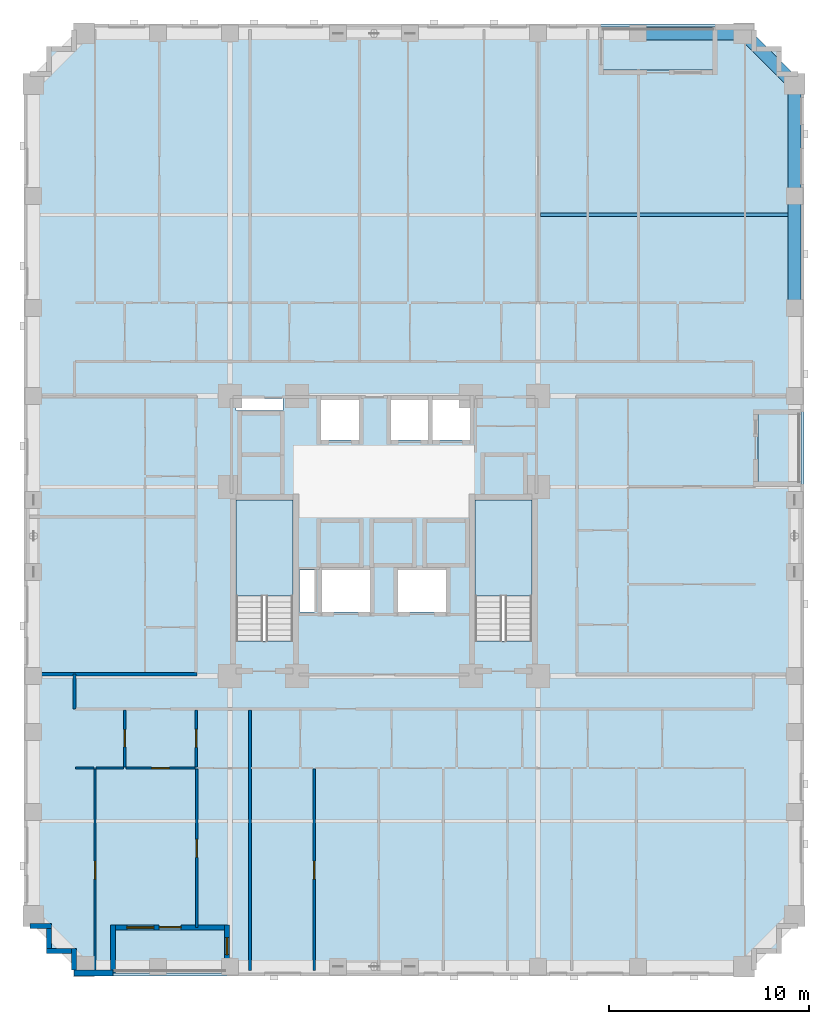
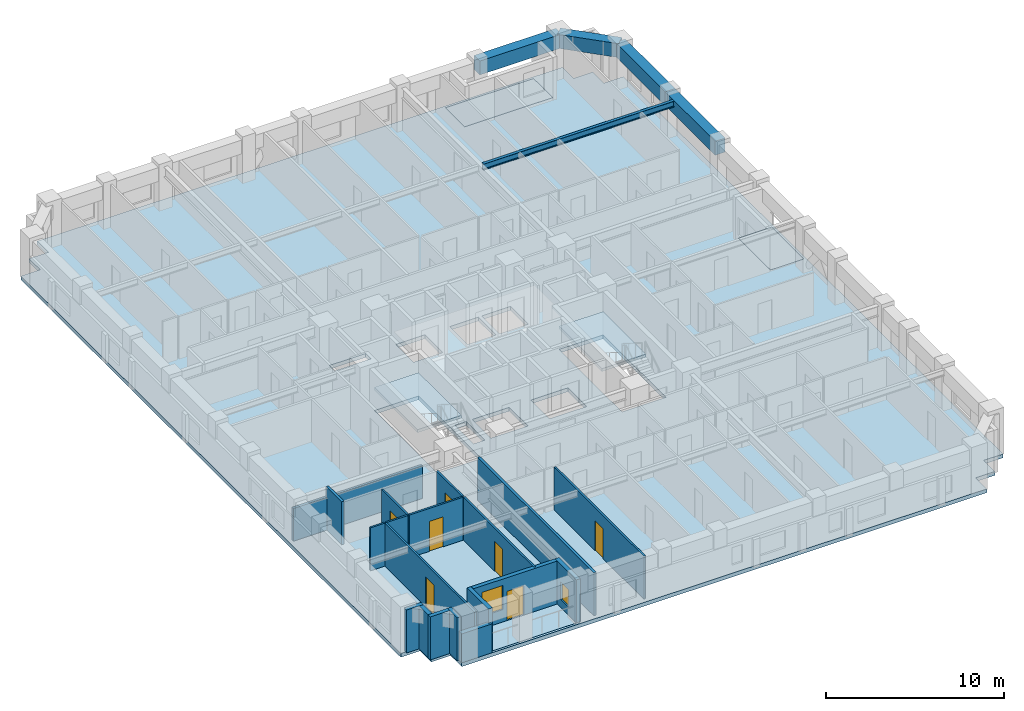
# One storey, part 2 of 14: 19 walls, 7 doors, 6 slabs, 5 beams, 2 windows, 9 openings, 2 elements without a shape of their own.
"""IFC4 building model written with IfcOpenShell, lengths in metres."""

from ifc_helpers import new_model, si_unit, derived_unit, direction, frame, frame_2d, origin, origin_2d, place, context, subcontext, project, spatial, polyline, rectangle, i_section, outline, extrude, material, layer, layer_set, material_profile, profile_set, type_object, element, fill, aggregate, save


model = new_model("IFC4")

# Units and contexts
model_context = context("Model", 3, precision=1e-05, world=origin(), true_north=direction((0.0, 1.0)))
body_context = subcontext(model_context, "Body", "Model", "MODEL_VIEW")
ifc_project = project(units=[si_unit("LENGTHUNIT", "METRE"), si_unit("AREAUNIT", "SQUARE_METRE"), si_unit("VOLUMEUNIT", "CUBIC_METRE"), si_unit("PLANEANGLEUNIT", "RADIAN"), si_unit("MASSUNIT", "GRAM", prefix="KILO"), derived_unit("THERMALTRANSMITTANCEUNIT", [(si_unit("MASSUNIT", "GRAM", prefix="KILO"), 1), (si_unit("TIMEUNIT", "SECOND"), -3), (si_unit("THERMODYNAMICTEMPERATUREUNIT", "KELVIN"), -1)])], contexts=[model_context])

# Site, building, storey
site_placement = place(None, origin())
site = spatial("IfcSite", under=ifc_project, at=site_placement, CompositionType="ELEMENT")
building_placement = place(site_placement, origin())
building = spatial("IfcBuilding", under=site, at=building_placement, Name="Korrvale Station Residences", CompositionType="ELEMENT")
storey_placement = place(building_placement, frame((0.0, 0.0, 61.0)))
storey = spatial("IfcBuildingStorey", under=building, at=storey_placement, Name="L16", CompositionType="ELEMENT", Elevation=61.0)

# Beams
ifc_material_1 = material(Name="Steel S355", Category="steel")
ifc_material_profile_1 = material_profile(ifc_material_1, i_section(OverallWidth=0.180908203125, OverallDepth=0.4169921875, WebThickness=0.010986328125, FlangeThickness=0.018310546875, FilletRadius=0.01611328125, at=origin_2d()), Name="W410x85")
ifc_profile_set_1 = profile_set([ifc_material_profile_1], Name="Steel S355")
beam_type_1 = type_object("IfcBeamType", Name="BM-JST-W410x85-S355", PredefinedType="JOIST", material=ifc_profile_set_1)
beam_1_placement = place(storey_placement, frame((33.327880859375, 38.06005859375, 2.7314453125), z_axis=(1.0, 0.0, 0.0), x_axis=(0.0, 1.0, 0.0)))
element("IfcBeam", 1, at=beam_1_placement, inside=storey, type_object=beam_type_1, Name="L16 Floor Framing Joist 06", PredefinedType="JOIST", context=body_context, shape_type="SweptSolid", body=[
    extrude(i_section(OverallWidth=0.180908203125, OverallDepth=0.4169921875, WebThickness=0.010986328125, FlangeThickness=0.018310546875, FilletRadius=0.01611328125, at=origin_2d()), origin(), (0.0, 0.0, 1.0), 12.3671875),
])
ifc_material_2 = material(Name="Concrete C70/85", Category="concrete")
ifc_material_profile_2 = material_profile(ifc_material_2, rectangle(XDim=0.64990234375, YDim=0.949951171875, at=origin_2d()), Name="RCB650x950")
ifc_profile_set_2 = profile_set([ifc_material_profile_2], Name="Concrete C70/85")
beam_type_2 = type_object("IfcBeamType", Name="BM-SPB-RCB650x950-C7085", PredefinedType="SPANDREL", material=ifc_profile_set_2)
beam_2_placement = place(storey_placement, frame((38.199951171875, 47.1201171875, 2.465087890625), z_axis=(1.0, 0.0, 0.0), x_axis=(0.0, 1.0, 0.0)))
element("IfcBeam", 2, at=beam_2_placement, inside=storey, type_object=beam_type_2, Name="L16 North Tube Spandrel 14", PredefinedType="SPANDREL", context=body_context, shape_type="SweptSolid", body=[
    extrude(rectangle(XDim=0.64990234375, YDim=0.949951171875, at=origin_2d()), origin(), (0.0, 0.0, 1.0), 5.300048828125),
])
for number, where, z_axis, x_axis, name in (
    (3, (46.02001953125, 33.39990234375, 2.465087890625), (0.0, 1.0, 0.0), (-1.0, 0.0, 0.0), "L16 East Tube Spandrel 31"),
    (4, (46.02001953125, 39.0, 2.465087890625), (0.0, 1.0, 0.0), (-1.0, 0.0, 0.0), "L16 East Tube Spandrel 32"),
):
    element("IfcBeam", number, at=place(storey_placement, frame(where, z_axis=z_axis, x_axis=x_axis)), inside=storey, type_object=beam_type_2, Name=name, PredefinedType="SPANDREL", context=body_context, shape_type="SweptSolid", body=[
        extrude(rectangle(XDim=0.64990234375, YDim=0.949951171875, at=origin_2d()), origin(), (0.0, 0.0, 1.0), 5.60009765625),
    ])
beam_3_placement = place(storey_placement, frame((43.5, 47.1201171875, 2.465087890625), z_axis=(0.707106781187, -0.707106781187, 0.0), x_axis=(0.707106781187, 0.707106781187, 0.0)))
element("IfcBeam", 5, at=beam_3_placement, inside=storey, type_object=beam_type_2, Name="L16 Serrated Corner Spandrel 35", PredefinedType="SPANDREL", context=body_context, shape_type="SweptSolid", body=[
    extrude(rectangle(XDim=0.64990234375, YDim=0.949951171875, at=origin_2d()), origin(), (0.0, 0.0, 1.0), 3.56396484375),
])

# Slabs
ifc_material_3 = material(Name="Concrete C50/60", Category="concrete")
ifc_layer_1 = layer(ifc_material_3, 0.219970703125, Name="Concrete C50/60")
ifc_layer_set_1 = layer_set([ifc_layer_1], Name="Concrete C50/60")
slab_type_1 = type_object("IfcSlabType", Name="SLB-BAL-220", PredefinedType="FLOOR", material=ifc_layer_set_1)
slab_1_placement = place(storey_placement, frame((0.0, 0.0, -0.219970703125)))
element("IfcSlab", 6, at=slab_1_placement, inside=storey, type_object=slab_type_1, Name="L16 Recessed Loggia Balcony Slab BAL-L16-S1", PredefinedType="FLOOR", context=body_context, shape_type="SweptSolid", body=[
    extrude(outline(polyline([(11.949951171875, 0.14990234375), (17.64990234375, 0.14990234375), (17.64990234375, 2.300048828125), (11.949951171875, 2.300048828125), (11.949951171875, 0.14990234375)])), origin(), (0.0, 0.0, 1.0), 0.219970703125),
])
slab_2_placement = place(storey_placement, frame((0.0, 0.0, -0.219970703125)))
element("IfcSlab", 7, at=slab_2_placement, inside=storey, type_object=slab_type_1, Name="L16 Recessed Loggia Balcony Slab BAL-L16-N1", PredefinedType="FLOOR", context=body_context, shape_type="SweptSolid", body=[
    extrude(outline(polyline([(36.35009765625, 45.300048828125), (42.050048828125, 45.300048828125), (42.050048828125, 47.449951171875), (36.35009765625, 47.449951171875), (36.35009765625, 45.300048828125)])), origin(), (0.0, 0.0, 1.0), 0.219970703125),
])
slab_3_placement = place(storey_placement, frame((0.0, 0.0, -0.219970703125)))
element("IfcSlab", 8, at=slab_3_placement, inside=storey, type_object=slab_type_1, Name="L16 Recessed Loggia Balcony Slab BAL-L16-E1", PredefinedType="FLOOR", context=body_context, shape_type="SweptSolid", body=[
    extrude(outline(polyline([(44.199951171875, 24.60009765625), (46.35009765625, 24.60009765625), (46.35009765625, 28.199951171875), (44.199951171875, 28.199951171875), (44.199951171875, 24.60009765625)])), origin(), (0.0, 0.0, 1.0), 0.219970703125),
])
ifc_layer_2 = layer(ifc_material_3, 0.260009765625, Name="Concrete C50/60")
ifc_layer_set_2 = layer_set([ifc_layer_2], Name="Concrete C50/60")
slab_type_2 = type_object("IfcSlabType", Name="SLB-FLR-260", PredefinedType="FLOOR", material=ifc_layer_set_2)
slab_4_placement = place(storey_placement, frame((0.0, 0.0, -0.260009765625)))
element("IfcSlab", 9, at=slab_4_placement, inside=storey, type_object=slab_type_2, Name="L16 Suspended Structural Floor Slab", PredefinedType="FLOOR", context=body_context, shape_type="SweptSolid", body=[
    extrude(outline(polyline([(10.0, 0.0), (44.0, 0.0), (44.0, 1.25), (45.25, 1.25), (45.25, 2.5), (46.5, 2.5), (46.5, 45.10009765625), (45.25, 45.10009765625), (45.25, 46.35009765625), (44.0, 46.35009765625), (44.0, 47.60009765625), (10.0, 47.60009765625), (10.0, 46.35009765625), (8.75, 46.35009765625), (8.75, 45.10009765625), (7.5, 45.10009765625), (7.5, 2.5), (8.75, 2.5), (8.75, 1.25), (10.0, 1.25), (10.0, 0.0)]), holes=[polyline([(20.949951171875, 16.751953125), (20.949951171875, 23.800048828125), (18.10009765625, 23.800048828125), (18.10009765625, 16.751953125), (20.949951171875, 16.751953125)]), polyline([(32.89990234375, 16.751953125), (32.89990234375, 23.800048828125), (30.050048828125, 23.800048828125), (30.050048828125, 16.751953125), (32.89990234375, 16.751953125)]), polyline([(22.35009765625, 26.800048828125), (24.25, 26.800048828125), (24.25, 28.800048828125), (22.35009765625, 28.800048828125), (22.35009765625, 26.800048828125)]), polyline([(25.85009765625, 26.800048828125), (27.7099609375, 26.800048828125), (27.7099609375, 28.800048828125), (25.85009765625, 28.800048828125), (25.85009765625, 26.800048828125)]), polyline([(27.929931640625, 26.800048828125), (29.7900390625, 26.800048828125), (29.7900390625, 28.800048828125), (27.929931640625, 28.800048828125), (27.929931640625, 26.800048828125)]), polyline([(22.39990234375, 18.199951171875), (24.800048828125, 18.199951171875), (24.800048828125, 20.300048828125), (22.39990234375, 20.300048828125), (22.39990234375, 18.199951171875)]), polyline([(26.199951171875, 18.199951171875), (28.60009765625, 18.199951171875), (28.60009765625, 20.300048828125), (26.199951171875, 20.300048828125), (26.199951171875, 18.199951171875)]), polyline([(18.10009765625, 28.280029296875), (20.449951171875, 28.280029296875), (20.449951171875, 28.8798828125), (18.10009765625, 28.8798828125), (18.10009765625, 28.280029296875)]), polyline([(21.280029296875, 18.199951171875), (22.02001953125, 18.199951171875), (22.02001953125, 20.300048828125), (21.280029296875, 20.300048828125), (21.280029296875, 18.199951171875)]), polyline([(11.949951171875, 0.14990234375), (17.64990234375, 0.14990234375), (17.64990234375, 2.300048828125), (11.949951171875, 2.300048828125), (11.949951171875, 0.14990234375)]), polyline([(36.35009765625, 45.300048828125), (42.050048828125, 45.300048828125), (42.050048828125, 47.449951171875), (36.35009765625, 47.449951171875), (36.35009765625, 45.300048828125)]), polyline([(44.199951171875, 24.60009765625), (46.35009765625, 24.60009765625), (46.35009765625, 28.199951171875), (44.199951171875, 28.199951171875), (44.199951171875, 24.60009765625)])]), origin(), (0.0, 0.0, 1.0), 0.260009765625),
])

# Stair, slab
stair_type = type_object("IfcStairType", Name="STR-DL-1350-18R-1778", PredefinedType="HALF_TURN_STAIR", material=ifc_material_3)
stair_1_placement = place(storey_placement, origin())
stair_1 = element("IfcStair", 10, at=stair_1_placement, inside=storey, type_object=stair_type, Name="L16 Exit Stair 1", PredefinedType="HALF_TURN_STAIR")
ifc_layer_3 = layer(ifc_material_3, 0.199951171875, Name="Concrete C50/60")
ifc_layer_set_3 = layer_set([ifc_layer_3], Name="Concrete C50/60")
slab_type_3 = type_object("IfcSlabType", Name="SLB-LND-200", PredefinedType="LANDING", material=ifc_layer_set_3)
slab_5_placement = place(storey_placement, frame((0.0, 0.0, 1.39990234375)))
slab_5 = element("IfcSlab", 11, at=slab_5_placement, type_object=slab_type_3, Name="ST-1 landing 1", PredefinedType="LANDING", context=body_context, shape_type="SweptSolid", body=[
    extrude(outline(polyline([(20.949951171875, 18.989990234375), (20.949951171875, 23.800048828125), (18.10009765625, 23.800048828125), (18.10009765625, 18.989990234375), (20.949951171875, 18.989990234375)])), origin(), (0.0, 0.0, 1.0), 0.2001953125),
])
aggregate(stair_1, [slab_5])

stair_2_placement = place(storey_placement, origin())
stair_2 = element("IfcStair", 12, at=stair_2_placement, inside=storey, type_object=stair_type, Name="L16 Exit Stair 2", PredefinedType="HALF_TURN_STAIR")
slab_6_placement = place(storey_placement, frame((0.0, 0.0, 1.39990234375)))
slab_6 = element("IfcSlab", 13, at=slab_6_placement, type_object=slab_type_3, Name="ST-2 landing 1", PredefinedType="LANDING", context=body_context, shape_type="SweptSolid", body=[
    extrude(outline(polyline([(32.89990234375, 18.989990234375), (32.89990234375, 23.800048828125), (30.050048828125, 23.800048828125), (30.050048828125, 18.989990234375), (32.89990234375, 18.989990234375)])), origin(), (0.0, 0.0, 1.0), 0.2001953125),
])
aggregate(stair_2, [slab_6])

# Wall, opening, window
ifc_material_4 = material(Name="Precast concrete C45/55", Category="concrete")
ifc_layer_4 = layer(ifc_material_4, 0.260009765625, Name="Precast concrete C45/55")
ifc_layer_set_4 = layer_set([ifc_layer_4], Name="Precast concrete C45/55")
wall_type_1 = type_object("IfcWallType", Name="WAL-EXT-LOG260", PredefinedType="SOLIDWALL", material=ifc_layer_set_4)
wall_1_placement = place(storey_placement, frame((17.64990234375, 0.159912109375, 0.0), z_axis=(0.0, 0.0, 1.0), x_axis=(0.0, 1.0, 0.0)))
wall_1 = element("IfcWall", 14, at=wall_1_placement, inside=storey, type_object=wall_type_1, Name="L16 Recessed Loggia Wall BAL-L16-S1-L", PredefinedType="SOLIDWALL", context=body_context, shape_type="SweptSolid", body=[
    extrude(rectangle(XDim=2.400146484375, YDim=0.260009765625, at=frame_2d((1.2001953125, 0.0))), origin(), (0.0, 0.0, 1.0), 2.93994140625),
])
opening_1_placement = place(wall_1_placement, frame((0.905029296875, 0.0, 0.550048828125)))
opening_1 = element("IfcOpeningElement", 15, at=opening_1_placement, cuts=wall_1, Name="Opening W-11", PredefinedType="OPENING", context=body_context, shape_type="SweptSolid", body=[
    extrude(rectangle(XDim=0.85009765625, YDim=1.199951171875, at=frame_2d((0.425048828125, 0.60009765625))), frame((0.0, 0.14013671875, 0.0), z_axis=(0.0, -1.0, 0.0), x_axis=(1.0, 0.0, 0.0)), (0.0, 0.0, 1.0), 0.280029296875),
])
ifc_material_5 = material(Name="Thermally broken aluminium frame with triple low-e glazing", Category="aluminium")
window_type_1 = type_object("IfcWindowType", Name="WIN-W11", PartitioningType="SINGLE_PANEL", PredefinedType="WINDOW", material=ifc_material_5)
window_1_placement = place(opening_1_placement, origin())
window_1 = element("IfcWindow", 16, at=window_1_placement, inside=storey, type_object=window_type_1, Name="L16 Punched Window 04", OverallHeight=1.199951171875, OverallWidth=0.85009765625, PartitioningType="SINGLE_PANEL", PredefinedType="WINDOW", context=body_context, shape_type="SweptSolid", body=[
    extrude(rectangle(XDim=0.85009765625, YDim=1.199951171875, at=frame_2d((0.425048828125, 0.60009765625))), frame((0.0, 0.030029296875, 0.0), z_axis=(0.0, -1.0, 0.0), x_axis=(1.0, 0.0, 0.0)), (0.0, 0.0, 1.0), 0.06005859375),
])
fill(opening_1, window_1)

# Wall, openings, door, window
wall_2_placement = place(storey_placement, frame((17.51611328125, 2.429931640625, 0.0), z_axis=(0.0, 0.0, 1.0), x_axis=(-1.0, 0.0, 0.0)))
wall_2 = element("IfcWall", 17, at=wall_2_placement, inside=storey, type_object=wall_type_1, Name="L16 Recessed Loggia Wall BAL-L16-S1-B", PredefinedType="SOLIDWALL", context=body_context, shape_type="SweptSolid", body=[
    extrude(rectangle(XDim=5.43212890625, YDim=0.260009765625, at=frame_2d((2.716064453125, 0.0))), origin(), (0.0, 0.0, 1.0), 2.93994140625),
])
opening_2_placement = place(wall_2_placement, frame((2.166015625, 0.0, 0.0)))
opening_2 = element("IfcOpeningElement", 18, at=opening_2_placement, cuts=wall_2, Name="Opening BD-01", PredefinedType="OPENING", context=body_context, shape_type="SweptSolid", body=[
    extrude(rectangle(XDim=1.10009765625, YDim=2.0, at=frame_2d((0.550048828125, 1.0))), frame((0.0, 0.14013671875, 0.0), z_axis=(0.0, -1.0, 0.0), x_axis=(1.0, 0.0, 0.0)), (0.0, 0.0, 1.0), 0.280029296875),
])
opening_3_placement = place(wall_2_placement, frame((3.52587890625, 0.0, 0.85009765625)))
opening_3 = element("IfcOpeningElement", 19, at=opening_3_placement, cuts=wall_2, Name="Opening W-06", PredefinedType="OPENING", context=body_context, shape_type="SweptSolid", body=[
    extrude(rectangle(XDim=1.35009765625, YDim=1.64990234375, at=frame_2d((0.675048828125, 0.824951171875))), frame((0.0, 0.14013671875, 0.0), z_axis=(0.0, -1.0, 0.0), x_axis=(1.0, 0.0, 0.0)), (0.0, 0.0, 1.0), 0.280029296875),
])
ifc_material_6 = material(Name="Exterior thermally broken aluminium glazed balcony door", Category="aluminium")
door_type_1 = type_object("IfcDoorType", Name="DR-EXT-BAL", OperationType="NOTDEFINED", PredefinedType="DOOR", material=ifc_material_6)
door_1_placement = place(opening_2_placement, origin())
door_1 = element("IfcDoor", 20, at=door_1_placement, inside=storey, type_object=door_type_1, Name="L16 Loggia Balcony Door BAL-L16-S1", OperationType="SINGLE_SWING_LEFT", OverallHeight=2.0, OverallWidth=1.10009765625, PredefinedType="DOOR", context=body_context, shape_type="SweptSolid", body=[
    extrude(rectangle(XDim=1.10009765625, YDim=2.0, at=frame_2d((0.550048828125, 1.0))), frame((0.0, 0.02490234375, 0.0), z_axis=(0.0, -1.0, 0.0), x_axis=(1.0, 0.0, 0.0)), (0.0, 0.0, 1.0), 0.050048828125),
])
fill(opening_2, door_1)
window_type_2 = type_object("IfcWindowType", Name="WIN-W06", PartitioningType="SINGLE_PANEL", PredefinedType="WINDOW", material=ifc_material_5)
window_2_placement = place(opening_3_placement, origin())
window_2 = element("IfcWindow", 21, at=window_2_placement, inside=storey, type_object=window_type_2, Name="L16 Punched Window 03", OverallHeight=1.64990234375, OverallWidth=1.35009765625, PartitioningType="SINGLE_PANEL", PredefinedType="WINDOW", context=body_context, shape_type="SweptSolid", body=[
    extrude(rectangle(XDim=1.35009765625, YDim=1.64990234375, at=frame_2d((0.675048828125, 0.824951171875))), frame((0.0, 0.030029296875, 0.0), z_axis=(0.0, -1.0, 0.0), x_axis=(1.0, 0.0, 0.0)), (0.0, 0.0, 1.0), 0.06005859375),
])
fill(opening_3, window_2)

# Walls
wall_3_placement = place(storey_placement, frame((11.949951171875, 2.56005859375, 0.0), z_axis=(0.0, 0.0, 1.0), x_axis=(0.0, -1.0, 0.0)))
element("IfcWall", 22, at=wall_3_placement, inside=storey, type_object=wall_type_1, Name="L16 Recessed Loggia Wall BAL-L16-S1-R", PredefinedType="SOLIDWALL", context=body_context, shape_type="SweptSolid", body=[
    extrude(rectangle(XDim=2.400146484375, YDim=0.260009765625, at=frame_2d((1.2001953125, 0.0))), origin(), (0.0, 0.0, 1.0), 2.93994140625),
])
wall_4_placement = place(storey_placement, frame((10.0, 0.302001953125, 0.0), z_axis=(0.0, 0.0, 1.0), x_axis=(0.0, 1.0, 0.0)))
element("IfcWall", 23, at=wall_4_placement, inside=storey, type_object=wall_type_1, Name="L16 Serrated Corner Precast Step SW-1", PredefinedType="SOLIDWALL", context=body_context, shape_type="SweptSolid", body=[
    extrude(rectangle(XDim=1.077880859375, YDim=0.260009765625, at=frame_2d((0.5390625, 0.0))), origin(), (0.0, 0.0, 1.0), 2.93994140625),
])
wall_5_placement = place(storey_placement, frame((9.867919921875, 1.25, 0.0), z_axis=(0.0, 0.0, 1.0), x_axis=(-1.0, 0.0, 0.0)))
element("IfcWall", 24, at=wall_5_placement, inside=storey, type_object=wall_type_1, Name="L16 Serrated Corner Precast Step SW-2", PredefinedType="SOLIDWALL", context=body_context, shape_type="SweptSolid", body=[
    extrude(rectangle(XDim=1.247802734375, YDim=0.260009765625, at=frame_2d((0.6240234375, 0.0))), origin(), (0.0, 0.0, 1.0), 2.93994140625),
])
wall_6_placement = place(storey_placement, frame((8.75, 1.382080078125, 0.0), z_axis=(0.0, 0.0, 1.0), x_axis=(0.0, 1.0, 0.0)))
element("IfcWall", 25, at=wall_6_placement, inside=storey, type_object=wall_type_1, Name="L16 Serrated Corner Precast Step SW-3", PredefinedType="SOLIDWALL", context=body_context, shape_type="SweptSolid", body=[
    extrude(rectangle(XDim=0.98583984375, YDim=0.260009765625, at=frame_2d((0.492919921875, 0.0))), origin(), (0.0, 0.0, 1.0), 2.93994140625),
])
wall_7_placement = place(storey_placement, frame((8.8798828125, 2.5, 0.0), z_axis=(0.0, 0.0, 1.0), x_axis=(-1.0, 0.0, 0.0)))
element("IfcWall", 26, at=wall_7_placement, inside=storey, type_object=wall_type_1, Name="L16 Serrated Corner Precast Step SW-4", PredefinedType="SOLIDWALL", context=body_context, shape_type="SweptSolid", body=[
    extrude(rectangle(XDim=1.077880859375, YDim=0.260009765625, at=frame_2d((0.5390625, 0.0))), origin(), (0.0, 0.0, 1.0), 2.93994140625),
])
ifc_layer_5 = layer(ifc_material_4, 0.300048828125, Name="Precast concrete C45/55")
ifc_layer_set_5 = layer_set([ifc_layer_5], Name="Precast concrete C45/55")
wall_type_2 = type_object("IfcWallType", Name="WAL-EXT-PC300", PredefinedType="SOLIDWALL", material=ifc_layer_set_5)
wall_8_placement = place(storey_placement, frame((11.949951171875, 0.14990234375, 0.0), z_axis=(0.0, 0.0, 1.0), x_axis=(-1.0, 0.0, 0.0)))
element("IfcWall", 27, at=wall_8_placement, inside=storey, type_object=wall_type_2, Name="L16 South Exterior Precast Wall 2", PredefinedType="SOLIDWALL", context=body_context, shape_type="SweptSolid", body=[
    extrude(rectangle(XDim=1.949951171875, YDim=0.300048828125, at=frame_2d((0.97509765625, 0.0))), origin(), (0.0, 0.0, 1.0), 1.97509765625),
])

# Wall, opening, door
ifc_material_7 = material(Name="Acoustic steel-stud gypsum board partition", Category="steel")
ifc_layer_6 = layer(ifc_material_7, 0.1201171875, Name="Acoustic steel-stud gypsum board partition")
ifc_layer_set_6 = layer_set([ifc_layer_6], Name="Acoustic steel-stud gypsum board partition")
wall_type_3 = type_object("IfcWallType", Name="WAL-PART-125", PredefinedType="PARTITIONING", material=ifc_layer_set_6)
wall_9_placement = place(storey_placement, frame((12.5400390625, 10.4599609375, 0.0), z_axis=(0.0, 0.0, 1.0), x_axis=(0.0, 1.0, 0.0)))
wall_9 = element("IfcWall", 28, at=wall_9_placement, inside=storey, type_object=wall_type_3, Name="L16 Suite Partition U01-V01", PredefinedType="PARTITIONING", context=body_context, shape_type="SweptSolid", body=[
    extrude(rectangle(XDim=2.85009765625, YDim=0.1201171875, at=frame_2d((1.425048828125, 0.0))), origin(), (0.0, 0.0, 1.0), 2.93994140625),
])
opening_4_placement = place(wall_9_placement, frame((0.9951171875, 0.0, 0.0)))
opening_4 = element("IfcOpeningElement", 29, at=opening_4_placement, cuts=wall_9, Name="Opening DB-860", PredefinedType="OPENING", context=body_context, shape_type="SweptSolid", body=[
    extrude(rectangle(XDim=0.860107421875, YDim=2.050048828125, at=frame_2d((0.43017578125, 1.02490234375))), frame((0.0, 0.070068359375, 0.0), z_axis=(0.0, -1.0, 0.0), x_axis=(1.0, 0.0, 0.0)), (0.0, 0.0, 1.0), 0.14013671875),
])
ifc_material_8 = material(Name="Moisture-resistant solid-core bathroom door", Category="timber")
door_type_2 = type_object("IfcDoorType", Name="DR-BATH-860", OperationType="NOTDEFINED", PredefinedType="DOOR", material=ifc_material_8)
door_2_placement = place(opening_4_placement, origin())
door_2 = element("IfcDoor", 30, at=door_2_placement, inside=storey, type_object=door_type_2, Name="L16 Studio Apartment L16-U01 Bathroom Door", OperationType="SINGLE_SWING_LEFT", OverallHeight=2.050048828125, OverallWidth=0.860107421875, PredefinedType="DOOR", context=body_context, shape_type="SweptSolid", body=[
    extrude(rectangle(XDim=0.860107421875, YDim=2.050048828125, at=frame_2d((0.43017578125, 1.02490234375))), frame((0.0, 0.02490234375, 0.0), z_axis=(0.0, -1.0, 0.0), x_axis=(1.0, 0.0, 0.0)), (0.0, 0.0, 1.0), 0.050048828125),
])
fill(opening_4, door_2)

# Walls
wall_10_placement = place(storey_placement, frame((10.080078125, 10.39990234375, 0.0), z_axis=(0.0, 0.0, 1.0), x_axis=(1.0, 0.0, 0.0)))
element("IfcWall", 31, at=wall_10_placement, inside=storey, type_object=wall_type_3, Name="L16 Suite Partition U01-H03", PredefinedType="PARTITIONING", context=body_context, shape_type="SweptSolid", body=[
    extrude(rectangle(XDim=0.909912109375, YDim=0.1201171875, at=frame_2d((0.455078125, 0.0))), origin(), (0.0, 0.0, 1.0), 2.93994140625),
])
wall_11_placement = place(storey_placement, frame((11.110107421875, 10.39990234375, 0.0), z_axis=(0.0, 0.0, 1.0), x_axis=(1.0, 0.0, 0.0)))
element("IfcWall", 32, at=wall_11_placement, inside=storey, type_object=wall_type_3, Name="L16 Suite Partition U01-H04", PredefinedType="PARTITIONING", context=body_context, shape_type="SweptSolid", body=[
    extrude(rectangle(XDim=1.369873046875, YDim=0.1201171875, at=frame_2d((0.68505859375, 0.0))), origin(), (0.0, 0.0, 1.0), 2.93994140625),
])

# Wall, opening, door
wall_12_placement = place(storey_placement, frame((16.110107421875, 10.4599609375, 0.0), z_axis=(0.0, 0.0, 1.0), x_axis=(0.0, 1.0, 0.0)))
wall_12 = element("IfcWall", 33, at=wall_12_placement, inside=storey, type_object=wall_type_3, Name="L16 Suite Partition U01-V12", PredefinedType="PARTITIONING", context=body_context, shape_type="SweptSolid", body=[
    extrude(rectangle(XDim=2.85009765625, YDim=0.1201171875, at=frame_2d((1.425048828125, 0.0))), origin(), (0.0, 0.0, 1.0), 2.93994140625),
])
opening_5_placement = place(wall_12_placement, frame((0.97509765625, 0.0, 0.0)))
opening_5 = element("IfcOpeningElement", 34, at=opening_5_placement, cuts=wall_12, Name="Opening DI-900", PredefinedType="OPENING", context=body_context, shape_type="SweptSolid", body=[
    extrude(rectangle(XDim=0.89990234375, YDim=2.050048828125, at=frame_2d((0.449951171875, 1.02490234375))), frame((0.0, 0.070068359375, 0.0), z_axis=(0.0, -1.0, 0.0), x_axis=(1.0, 0.0, 0.0)), (0.0, 0.0, 1.0), 0.14013671875),
])
ifc_material_9 = material(Name="Painted solid-core timber interior room door", Category="wood")
door_type_3 = type_object("IfcDoorType", Name="DR-INT-900", OperationType="NOTDEFINED", PredefinedType="DOOR", material=ifc_material_9)
door_3_placement = place(opening_5_placement, origin())
door_3 = element("IfcDoor", 35, at=door_3_placement, inside=storey, type_object=door_type_3, Name="L16 Studio Apartment L16-U01 Kitchen Door", OperationType="SINGLE_SWING_RIGHT", OverallHeight=2.050048828125, OverallWidth=0.89990234375, PredefinedType="DOOR", context=body_context, shape_type="SweptSolid", body=[
    extrude(rectangle(XDim=0.89990234375, YDim=2.050048828125, at=frame_2d((0.449951171875, 1.02490234375))), frame((0.0, 0.02490234375, 0.0), z_axis=(0.0, -1.0, 0.0), x_axis=(1.0, 0.0, 0.0)), (0.0, 0.0, 1.0), 0.050048828125),
])
fill(opening_5, door_3)

wall_13_placement = place(storey_placement, frame((12.60009765625, 10.39990234375, 0.0), z_axis=(0.0, 0.0, 1.0), x_axis=(1.0, 0.0, 0.0)))
wall_13 = element("IfcWall", 36, at=wall_13_placement, inside=storey, type_object=wall_type_3, Name="L16 Suite Partition U01-H14", PredefinedType="PARTITIONING", context=body_context, shape_type="SweptSolid", body=[
    extrude(rectangle(XDim=3.449951171875, YDim=0.1201171875, at=frame_2d((1.72509765625, 0.0))), origin(), (0.0, 0.0, 1.0), 2.93994140625),
])
opening_6_placement = place(wall_13_placement, frame((1.27490234375, 0.0, 0.0)))
opening_6 = element("IfcOpeningElement", 37, at=opening_6_placement, cuts=wall_13, Name="Opening DI-900", PredefinedType="OPENING", context=body_context, shape_type="SweptSolid", body=[
    extrude(rectangle(XDim=0.89990234375, YDim=2.050048828125, at=frame_2d((0.449951171875, 1.02490234375))), frame((0.0, 0.070068359375, 0.0), z_axis=(0.0, -1.0, 0.0), x_axis=(1.0, 0.0, 0.0)), (0.0, 0.0, 1.0), 0.14013671875),
])
door_4_placement = place(opening_6_placement, origin())
door_4 = element("IfcDoor", 38, at=door_4_placement, inside=storey, type_object=door_type_3, Name="L16 Studio Apartment L16-U01 Kitchen Door", OperationType="SINGLE_SWING_LEFT", OverallHeight=2.050048828125, OverallWidth=0.89990234375, PredefinedType="DOOR", context=body_context, shape_type="SweptSolid", body=[
    extrude(rectangle(XDim=0.89990234375, YDim=2.050048828125, at=frame_2d((0.449951171875, 1.02490234375))), frame((0.0, 0.02490234375, 0.0), z_axis=(0.0, -1.0, 0.0), x_axis=(1.0, 0.0, 0.0)), (0.0, 0.0, 1.0), 0.050048828125),
])
fill(opening_6, door_4)

wall_14_placement = place(storey_placement, frame((11.050048828125, 0.280029296875, 0.0), z_axis=(0.0, 0.0, 1.0), x_axis=(0.0, 1.0, 0.0)))
wall_14 = element("IfcWall", 39, at=wall_14_placement, inside=storey, type_object=wall_type_3, Name="L16 Suite Partition U01-V34", PredefinedType="PARTITIONING", context=body_context, shape_type="SweptSolid", body=[
    extrude(rectangle(XDim=10.06005859375, YDim=0.1201171875, at=frame_2d((5.030029296875, 0.0))), origin(), (0.0, 0.0, 1.0), 2.93994140625),
])
opening_7_placement = place(wall_14_placement, frame((4.56494140625, 0.0, 0.0)))
opening_7 = element("IfcOpeningElement", 40, at=opening_7_placement, cuts=wall_14, Name="Opening DI-900", PredefinedType="OPENING", context=body_context, shape_type="SweptSolid", body=[
    extrude(rectangle(XDim=0.89990234375, YDim=2.050048828125, at=frame_2d((0.449951171875, 1.02490234375))), frame((0.0, 0.070068359375, 0.0), z_axis=(0.0, -1.0, 0.0), x_axis=(1.0, 0.0, 0.0)), (0.0, 0.0, 1.0), 0.14013671875),
])
door_5_placement = place(opening_7_placement, origin())
door_5 = element("IfcDoor", 41, at=door_5_placement, inside=storey, type_object=door_type_3, Name="L16 Studio Apartment L16-U01 Walk-In Wardrobe Door", OperationType="SINGLE_SWING_LEFT", OverallHeight=2.050048828125, OverallWidth=0.89990234375, PredefinedType="DOOR", context=body_context, shape_type="SweptSolid", body=[
    extrude(rectangle(XDim=0.89990234375, YDim=2.050048828125, at=frame_2d((0.449951171875, 1.02490234375))), frame((0.0, 0.02490234375, 0.0), z_axis=(0.0, -1.0, 0.0), x_axis=(1.0, 0.0, 0.0)), (0.0, 0.0, 1.0), 0.050048828125),
])
fill(opening_7, door_5)

wall_15_placement = place(storey_placement, frame((16.135986328125, 2.429931640625, 0.0), z_axis=(0.0, 0.0, 1.0), x_axis=(0.0, 1.0, 0.0)))
wall_15 = element("IfcWall", 42, at=wall_15_placement, inside=storey, type_object=wall_type_3, Name="L16 Suite Partition U01-V45", PredefinedType="PARTITIONING", context=body_context, shape_type="SweptSolid", body=[
    extrude(rectangle(XDim=7.91015625, YDim=0.1201171875, at=frame_2d((3.955078125, 0.0))), origin(), (0.0, 0.0, 1.0), 2.93994140625),
])
opening_8_placement = place(wall_15_placement, frame((3.5048828125, 0.0, 0.0)))
opening_8 = element("IfcOpeningElement", 43, at=opening_8_placement, cuts=wall_15, Name="Opening DI-900", PredefinedType="OPENING", context=body_context, shape_type="SweptSolid", body=[
    extrude(rectangle(XDim=0.89990234375, YDim=2.050048828125, at=frame_2d((0.449951171875, 1.02490234375))), frame((0.0, 0.070068359375, 0.0), z_axis=(0.0, -1.0, 0.0), x_axis=(1.0, 0.0, 0.0)), (0.0, 0.0, 1.0), 0.14013671875),
])
door_6_placement = place(opening_8_placement, origin())
door_6 = element("IfcDoor", 44, at=door_6_placement, inside=storey, type_object=door_type_3, Name="L16 Studio Apartment L16-U01 Studio Living Room Door", OperationType="SINGLE_SWING_RIGHT", OverallHeight=2.050048828125, OverallWidth=0.89990234375, PredefinedType="DOOR", context=body_context, shape_type="SweptSolid", body=[
    extrude(rectangle(XDim=0.89990234375, YDim=2.050048828125, at=frame_2d((0.449951171875, 1.02490234375))), frame((0.0, 0.02490234375, 0.0), z_axis=(0.0, -1.0, 0.0), x_axis=(1.0, 0.0, 0.0)), (0.0, 0.0, 1.0), 0.050048828125),
])
fill(opening_8, door_6)

wall_16_placement = place(storey_placement, frame((22.01611328125, 0.280029296875, 0.0), z_axis=(0.0, 0.0, 1.0), x_axis=(0.0, 1.0, 0.0)))
wall_16 = element("IfcWall", 45, at=wall_16_placement, inside=storey, type_object=wall_type_3, Name="L16 Suite Partition U02-V78", PredefinedType="PARTITIONING", context=body_context, shape_type="SweptSolid", body=[
    extrude(rectangle(XDim=10.06005859375, YDim=0.1201171875, at=frame_2d((5.030029296875, 0.0))), origin(), (0.0, 0.0, 1.0), 2.93994140625),
])
opening_9_placement = place(wall_16_placement, frame((4.56494140625, 0.0, 0.0)))
opening_9 = element("IfcOpeningElement", 46, at=opening_9_placement, cuts=wall_16, Name="Opening DI-900", PredefinedType="OPENING", context=body_context, shape_type="SweptSolid", body=[
    extrude(rectangle(XDim=0.89990234375, YDim=2.050048828125, at=frame_2d((0.449951171875, 1.02490234375))), frame((0.0, 0.070068359375, 0.0), z_axis=(0.0, -1.0, 0.0), x_axis=(1.0, 0.0, 0.0)), (0.0, 0.0, 1.0), 0.14013671875),
])
door_7_placement = place(opening_9_placement, origin())
door_7 = element("IfcDoor", 47, at=door_7_placement, inside=storey, type_object=door_type_3, Name="L16 Studio Apartment L16-U02 Formal Dining Room Door", OperationType="SINGLE_SWING_RIGHT", OverallHeight=2.050048828125, OverallWidth=0.89990234375, PredefinedType="DOOR", context=body_context, shape_type="SweptSolid", body=[
    extrude(rectangle(XDim=0.89990234375, YDim=2.050048828125, at=frame_2d((0.449951171875, 1.02490234375))), frame((0.0, 0.02490234375, 0.0), z_axis=(0.0, -1.0, 0.0), x_axis=(1.0, 0.0, 0.0)), (0.0, 0.0, 1.0), 0.050048828125),
])
fill(opening_9, door_7)

# Walls
ifc_material_10 = material(Name="Fire-rated twin-stud gypsum and mineral wool shaftwall assembly", Category="gypsum")
ifc_layer_7 = layer(ifc_material_10, 0.159912109375, Name="Fire-rated twin-stud gypsum and mineral wool shaftwall assembly")
ifc_layer_set_7 = layer_set([ifc_layer_7], Name="Fire-rated twin-stud gypsum and mineral wool shaftwall assembly")
wall_type_4 = type_object("IfcWallType", Name="WAL-PART-200", PredefinedType="PARTITIONING", material=ifc_layer_set_7)
wall_17_placement = place(storey_placement, frame((10.02001953125, 13.35009765625, 0.0), z_axis=(0.0, 0.0, 1.0), x_axis=(0.0, 1.0, 0.0)))
element("IfcWall", 48, at=wall_17_placement, inside=storey, type_object=wall_type_4, Name="L16 Corridor South West Cap", PredefinedType="PARTITIONING", context=body_context, shape_type="SweptSolid", body=[
    extrude(rectangle(XDim=1.739990234375, YDim=0.159912109375, at=frame_2d((0.8701171875, 0.0))), origin(), (0.0, 0.0, 1.0), 2.93994140625),
])
wall_18_placement = place(storey_placement, frame((7.780029296875, 15.090087890625, 0.0), z_axis=(0.0, 0.0, 1.0), x_axis=(1.0, 0.0, 0.0)))
element("IfcWall", 49, at=wall_18_placement, inside=storey, type_object=wall_type_4, Name="L16 West Wing South Corridor Wall", PredefinedType="PARTITIONING", context=body_context, shape_type="SweptSolid", body=[
    extrude(rectangle(XDim=8.35986328125, YDim=0.159912109375, at=frame_2d((4.179931640625, 0.0))), origin(), (0.0, 0.0, 1.0), 2.23193359375),
])
wall_19_placement = place(storey_placement, frame((18.7958984375, 0.280029296875, 0.0), z_axis=(0.0, 0.0, 1.0), x_axis=(0.0, 1.0, 0.0)))
element("IfcWall", 50, at=wall_19_placement, inside=storey, type_object=wall_type_4, Name="L16 Demising Wall U02-W", PredefinedType="PARTITIONING", context=body_context, shape_type="SweptSolid", body=[
    extrude(rectangle(XDim=13.030029296875, YDim=0.159912109375, at=frame_2d((6.51513671875, 0.0))), origin(), (0.0, 0.0, 1.0), 2.93994140625),
])

save(model, "model.ifc")
